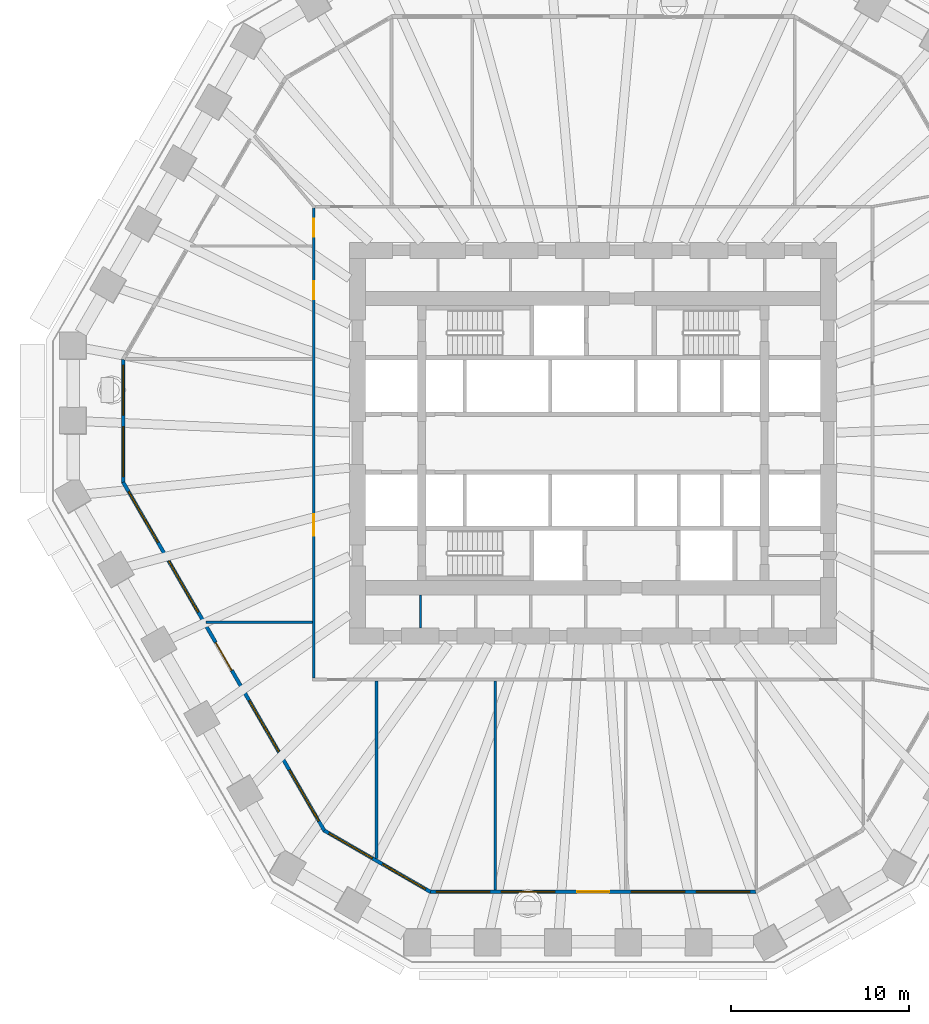
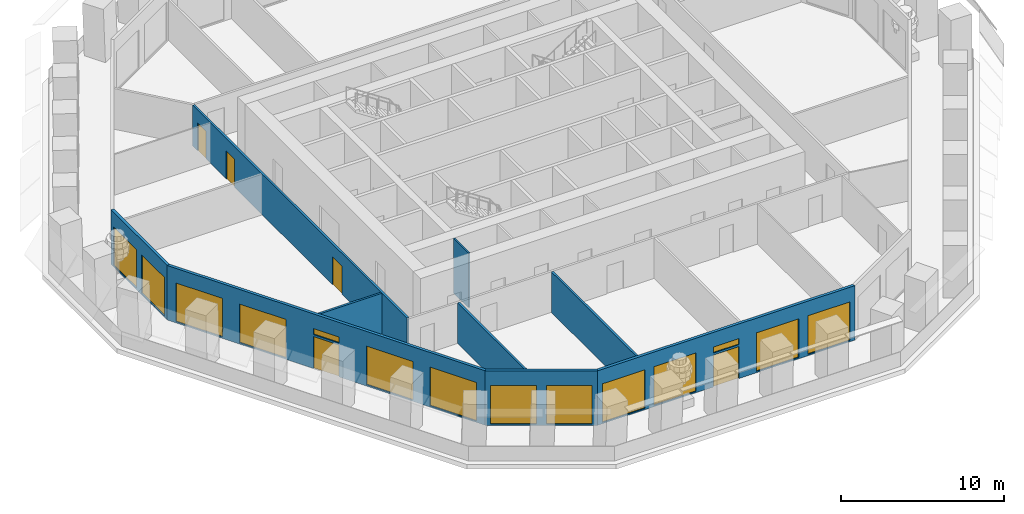
# One storey, part 3 of 12: 14 windows, 9 walls, 5 doors, 19 openings.
"""IFC4 building model written with IfcOpenShell, lengths in metres."""

from ifc_helpers import new_model, si_unit, direction, frame, frame_2d, origin, place, context, subcontext, project, spatial, polyline, rectangle, outline, extrude, material, layer, layer_set, type_object, element, fill, save


model = new_model("IFC4")

# Units and contexts
model_context = context("Model", 3, precision=1e-05, world=origin(), true_north=direction((0.0, 1.0)))
body_context = subcontext(model_context, "Body", "Model", "MODEL_VIEW")
ifc_project = project(units=[si_unit("LENGTHUNIT", "METRE"), si_unit("AREAUNIT", "SQUARE_METRE"), si_unit("VOLUMEUNIT", "CUBIC_METRE"), si_unit("PLANEANGLEUNIT", "RADIAN"), si_unit("MASSUNIT", "GRAM", prefix="KILO")], contexts=[model_context])

# Site, building, storey
site_placement = place(None, origin())
site = spatial("IfcSite", under=ifc_project, at=site_placement, CompositionType="ELEMENT")
building_placement = place(site_placement, origin())
building = spatial("IfcBuilding", under=site, at=building_placement, Name="Frailejon Research Tower", CompositionType="ELEMENT")
storey_placement = place(building_placement, frame((0.0, 0.0, 54.199951171875)))
storey = spatial("IfcBuildingStorey", under=building, at=storey_placement, Name="L12", CompositionType="ELEMENT", Elevation=54.199951171875)

# Wall
ifc_material_1 = material(Name="Plasterboard on steel studs", Category="steel")
ifc_layer_1 = layer(ifc_material_1, 0.125)
ifc_layer_set_1 = layer_set([ifc_layer_1], Name="Core partition 125")
wall_type_1 = type_object("IfcWallType", Name="Core partition 125", PredefinedType="PARTITIONING", material=ifc_layer_set_1)
wall_1_placement = place(storey_placement, frame((-9.66552734375, -10.35009765625, 0.0), z_axis=(0.0, 0.0, 1.0), x_axis=(0.0, 1.0, 0.0)))
element("IfcWall", 1, at=wall_1_placement, inside=storey, type_object=wall_type_1, Name="Core partition", PredefinedType="PARTITIONING", context=body_context, shape_type="SweptSolid", body=[
    extrude(rectangle(XDim=1.85009765625, YDim=0.125, at=frame_2d((0.925048828125, 0.0))), origin(), (0.0, 0.0, 1.0), 4.10009765625),
])

# Wall, openings, doors
ifc_material_2 = material(Name="Gypsum board and masonry partition", Category="masonry")
ifc_layer_2 = layer(ifc_material_2, 0.14990234375)
ifc_layer_set_2 = layer_set([ifc_layer_2], Name="Corridor wall EI 60, gypsum on steel studs 150")
wall_type_2 = type_object("IfcWallType", Name="Corridor wall EI 60, gypsum on steel studs 150", PredefinedType="PARTITIONING", material=ifc_layer_set_2)
wall_2_placement = place(storey_placement, frame((-15.64990234375, -13.175048828125, 0.0), z_axis=(0.0, 0.0, 1.0), x_axis=(0.0, 1.0, 0.0)))
wall_2 = element("IfcWall", 2, at=wall_2_placement, inside=storey, type_object=wall_type_2, Name="T:IW:L12:003", PredefinedType="PARTITIONING", context=body_context, shape_type="SweptSolid", body=[
    extrude(rectangle(XDim=26.35009765625, YDim=0.14990234375, at=frame_2d((13.175048828125, 0.0))), origin(), (0.0, 0.0, 1.0), 3.050048828125),
])
opening_1_placement = place(wall_2_placement, frame((24.7431640625, 0.0, 0.0)))
opening_1 = element("IfcOpeningElement", 3, at=opening_1_placement, cuts=wall_2, Name="Opening D1425", PredefinedType="OPENING", context=body_context, shape_type="SweptSolid", body=[
    extrude(rectangle(XDim=1.0, YDim=2.10009765625, at=frame_2d((0.5, 1.050048828125))), frame((0.0, 0.0849609375, 0.0), z_axis=(0.0, -1.0, 0.0), x_axis=(1.0, 0.0, 0.0)), (0.0, 0.0, 1.0), 0.169921875),
])
opening_2_placement = place(wall_2_placement, frame((21.24365234375, 0.0, 0.0)))
opening_2 = element("IfcOpeningElement", 4, at=opening_2_placement, cuts=wall_2, Name="Opening D1426", PredefinedType="OPENING", context=body_context, shape_type="SweptSolid", body=[
    extrude(rectangle(XDim=1.0, YDim=2.10009765625, at=frame_2d((0.5, 1.050048828125))), frame((0.0, 0.0849609375, 0.0), z_axis=(0.0, -1.0, 0.0), x_axis=(1.0, 0.0, 0.0)), (0.0, 0.0, 1.0), 0.169921875),
])
opening_3_placement = place(wall_2_placement, frame((7.9794921875, 0.0, 0.0)))
opening_3 = element("IfcOpeningElement", 5, at=opening_3_placement, cuts=wall_2, Name="Opening D1427", PredefinedType="OPENING", context=body_context, shape_type="SweptSolid", body=[
    extrude(rectangle(XDim=1.199951171875, YDim=2.10009765625, at=frame_2d((0.60009765625, 1.050048828125))), frame((0.0, 0.0849609375, 0.0), z_axis=(0.0, -1.0, 0.0), x_axis=(1.0, 0.0, 0.0)), (0.0, 0.0, 1.0), 0.169921875),
])
ifc_material_3 = material(Name="Timber door leaf", Category="wood")
door_type_1 = type_object("IfcDoorType", Name="Door laboratory, timber, vision panel 1200", OperationType="NOTDEFINED", PredefinedType="DOOR", material=ifc_material_3)
door_1_placement = place(opening_3_placement, origin())
door_1 = element("IfcDoor", 6, at=door_1_placement, inside=storey, type_object=door_type_1, Name="D1427", OperationType="DOUBLE_DOOR_SINGLE_SWING", OverallHeight=2.10009765625, OverallWidth=1.199951171875, PredefinedType="DOOR", context=body_context, shape_type="SweptSolid", body=[
    extrude(rectangle(XDim=1.199951171875, YDim=2.10009765625, at=frame_2d((0.60009765625, 1.050048828125))), frame((0.0, 0.02490234375, 0.0), z_axis=(0.0, -1.0, 0.0), x_axis=(1.0, 0.0, 0.0)), (0.0, 0.0, 1.0), 0.050048828125),
])
fill(opening_3, door_1)
ifc_material_4 = material(Name="Timber door leaf", Category="wood")
door_type_2 = type_object("IfcDoorType", Name="Door single leaf, timber, steel frame 1000", OperationType="NOTDEFINED", PredefinedType="DOOR", material=ifc_material_4)
door_2_placement = place(opening_1_placement, origin())
door_2 = element("IfcDoor", 7, at=door_2_placement, inside=storey, type_object=door_type_2, Name="D1425", OperationType="SINGLE_SWING_RIGHT", OverallHeight=2.10009765625, OverallWidth=1.0, PredefinedType="DOOR", context=body_context, shape_type="SweptSolid", body=[
    extrude(rectangle(XDim=1.0, YDim=2.10009765625, at=frame_2d((0.5, 1.050048828125))), frame((0.0, 0.02490234375, 0.0), z_axis=(0.0, -1.0, 0.0), x_axis=(1.0, 0.0, 0.0)), (0.0, 0.0, 1.0), 0.050048828125),
])
fill(opening_1, door_2)
door_3_placement = place(opening_2_placement, origin())
door_3 = element("IfcDoor", 8, at=door_3_placement, inside=storey, type_object=door_type_2, Name="D1426", OperationType="SINGLE_SWING_LEFT", OverallHeight=2.10009765625, OverallWidth=1.0, PredefinedType="DOOR", context=body_context, shape_type="SweptSolid", body=[
    extrude(rectangle(XDim=1.0, YDim=2.10009765625, at=frame_2d((0.5, 1.050048828125))), frame((0.0, 0.02490234375, 0.0), z_axis=(0.0, -1.0, 0.0), x_axis=(1.0, 0.0, 0.0)), (0.0, 0.0, 1.0), 0.050048828125),
])
fill(opening_2, door_3)

# Walls
ifc_material_5 = material(Name="Gypsum board and masonry partition", Category="masonry")
ifc_layer_3 = layer(ifc_material_5, 0.14990234375)
ifc_layer_set_3 = layer_set([ifc_layer_3], Name="Laboratory partition, blockwork 150")
wall_type_3 = type_object("IfcWallType", Name="Laboratory partition, blockwork 150", PredefinedType="PARTITIONING", material=ifc_layer_set_3)
wall_3_placement = place(storey_placement, frame((-21.68310546875, -10.0439453125, 0.0), z_axis=(0.0, 0.0, 1.0), x_axis=(1.0, 0.0, 0.0)))
element("IfcWall", 9, at=wall_3_placement, inside=storey, type_object=wall_type_3, Name="T:IW:L12:012", PredefinedType="PARTITIONING", context=body_context, shape_type="SweptSolid", body=[
    extrude(rectangle(XDim=5.9580078125, YDim=0.14990234375, at=frame_2d((2.97900390625, 0.0))), origin(), (0.0, 0.0, 1.0), 3.050048828125),
])
wall_4_placement = place(storey_placement, frame((-12.137939453125, -23.281494140625, 0.0), z_axis=(0.0, 0.0, 1.0), x_axis=(0.0, 1.0, 0.0)))
element("IfcWall", 10, at=wall_4_placement, inside=storey, type_object=wall_type_3, Name="T:IW:L12:013", PredefinedType="PARTITIONING", context=body_context, shape_type="SweptSolid", body=[
    extrude(rectangle(XDim=9.95654296875, YDim=0.14990234375, at=frame_2d((4.978271484375, 0.0))), origin(), (0.0, 0.0, 1.0), 3.050048828125),
])
wall_5_placement = place(storey_placement, frame((-5.482666015625, -25.04443359375, 0.0), z_axis=(0.0, 0.0, 1.0), x_axis=(0.0, 1.0, 0.0)))
element("IfcWall", 11, at=wall_5_placement, inside=storey, type_object=wall_type_3, Name="T:IW:L12:014", PredefinedType="PARTITIONING", context=body_context, shape_type="SweptSolid", body=[
    extrude(rectangle(XDim=11.719482421875, YDim=0.14990234375, at=frame_2d((5.85986328125, 0.0))), origin(), (0.0, 0.0, 1.0), 3.050048828125),
])

# Wall, openings, windows
ifc_material_6 = material(Name="Concrete C40/50 precast window wall panel", Category="concrete")
ifc_layer_4 = layer(ifc_material_6, 0.199951171875)
ifc_layer_set_4 = layer_set([ifc_layer_4], Name="Window wall 200")
wall_type_4 = type_object("IfcWallType", Name="Window wall 200", PredefinedType="SOLIDWALL", material=ifc_layer_set_4)
wall_6_placement = place(storey_placement, frame((-26.331298828125, 4.681884765625, 0.0), z_axis=(0.0, 0.0, 1.0), x_axis=(0.0, -1.0, 0.0)))
wall_6 = element("IfcWall", 12, at=wall_6_placement, inside=storey, type_object=wall_type_4, Name="Exterior wall L12", PredefinedType="SOLIDWALL", context=body_context, shape_type="SweptSolid", body=[
    extrude(outline(polyline([(-0.02685546875, -0.10009765625), (1.1279296875, -0.10009765625), (2.28271484375, -0.10009765625), (3.4375, -0.10009765625), (4.592041015625, -0.10009765625), (5.746826171875, -0.10009765625), (6.901611328125, -0.10009765625), (6.847900390625, 0.10009765625), (5.7109375, 0.10009765625), (4.57421875, 0.10009765625), (3.4375, 0.10009765625), (2.300537109375, 0.10009765625), (1.16357421875, 0.10009765625), (0.02685546875, 0.10009765625), (-0.02685546875, -0.10009765625)])), origin(), (0.0, 0.0, 1.0), 4.10009765625),
])
opening_4_placement = place(wall_6_placement, frame((0.318603515625, 0.0, 0.10009765625)))
opening_4 = element("IfcOpeningElement", 13, at=opening_4_placement, cuts=wall_6, Name="Opening W3", PredefinedType="OPENING", context=body_context, shape_type="SweptSolid", body=[
    extrude(rectangle(XDim=2.800048828125, YDim=2.89990234375, at=frame_2d((1.39990234375, 1.449951171875))), frame((0.0, 0.10986328125, 0.0), z_axis=(0.0, -1.0, 0.0), x_axis=(1.0, 0.0, 0.0)), (0.0, 0.0, 1.0), 0.219970703125),
])
opening_5_placement = place(wall_6_placement, frame((3.756103515625, 0.0, 0.10009765625)))
opening_5 = element("IfcOpeningElement", 14, at=opening_5_placement, cuts=wall_6, Name="Opening W3", PredefinedType="OPENING", context=body_context, shape_type="SweptSolid", body=[
    extrude(rectangle(XDim=2.800048828125, YDim=2.89990234375, at=frame_2d((1.39990234375, 1.449951171875))), frame((0.0, 0.10986328125, 0.0), z_axis=(0.0, -1.0, 0.0), x_axis=(1.0, 0.0, 0.0)), (0.0, 0.0, 1.0), 0.219970703125),
])
ifc_material_7 = material(Name="Aluminium framed double glazing", Category="aluminium")
window_type_1 = type_object("IfcWindowType", Name="Window 2800x2900", PartitioningType="SINGLE_PANEL", PredefinedType="WINDOW", material=ifc_material_7)
window_1_placement = place(opening_4_placement, origin())
window_1 = element("IfcWindow", 15, at=window_1_placement, inside=storey, type_object=window_type_1, Name="Window L12", OverallHeight=2.89990234375, OverallWidth=2.800048828125, PartitioningType="SINGLE_PANEL", PredefinedType="WINDOW", context=body_context, shape_type="SweptSolid", body=[
    extrude(rectangle(XDim=2.800048828125, YDim=2.89990234375, at=frame_2d((1.39990234375, 1.449951171875))), frame((0.0, 0.030029296875, 0.0), z_axis=(0.0, -1.0, 0.0), x_axis=(1.0, 0.0, 0.0)), (0.0, 0.0, 1.0), 0.06005859375),
])
fill(opening_4, window_1)
window_2_placement = place(opening_5_placement, origin())
window_2 = element("IfcWindow", 16, at=window_2_placement, inside=storey, type_object=window_type_1, Name="Window L12", OverallHeight=2.89990234375, OverallWidth=2.800048828125, PartitioningType="SINGLE_PANEL", PredefinedType="WINDOW", context=body_context, shape_type="SweptSolid", body=[
    extrude(rectangle(XDim=2.800048828125, YDim=2.89990234375, at=frame_2d((1.39990234375, 1.449951171875))), frame((0.0, 0.030029296875, 0.0), z_axis=(0.0, -1.0, 0.0), x_axis=(1.0, 0.0, 0.0)), (0.0, 0.0, 1.0), 0.06005859375),
])
fill(opening_5, window_2)

# Wall, openings, door, windows
wall_7_placement = place(storey_placement, frame((-26.331298828125, -2.19287109375, 0.0), z_axis=(0.0, 0.0, 1.0), x_axis=(0.499998501835, -0.866026268748, 0.0)))
wall_7 = element("IfcWall", 17, at=wall_7_placement, inside=storey, type_object=wall_type_4, Name="Exterior wall L12", PredefinedType="SOLIDWALL", context=body_context, shape_type="SweptSolid", body=[
    extrude(outline(polyline([(-0.02685546875, -0.10009765625), (0.999755859375, -0.10009765625), (2.026611328125, -0.10009765625), (3.05322265625, -0.10009765625), (4.079833984375, -0.10009765625), (5.1064453125, -0.10009765625), (6.13330078125, -0.10009765625), (7.159912109375, -0.10009765625), (8.1865234375, -0.10009765625), (9.213134765625, -0.10009765625), (10.239990234375, -0.10009765625), (11.2666015625, -0.10009765625), (12.293212890625, -0.10009765625), (13.320068359375, -0.10009765625), (14.3466796875, -0.10009765625), (15.373291015625, -0.10009765625), (16.39990234375, -0.10009765625), (17.4267578125, -0.10009765625), (18.453369140625, -0.10009765625), (19.47998046875, -0.10009765625), (20.506591796875, -0.10009765625), (21.533447265625, -0.10009765625), (22.56005859375, -0.10009765625), (22.50634765625, 0.10009765625), (21.484619140625, 0.10009765625), (20.462646484375, 0.10009765625), (19.44091796875, 0.10009765625), (18.419189453125, 0.10009765625), (17.3974609375, 0.10009765625), (16.37548828125, 0.10009765625), (15.353759765625, 0.10009765625), (14.33203125, 0.10009765625), (13.310302734375, 0.10009765625), (12.288330078125, 0.10009765625), (11.2666015625, 0.10009765625), (10.244873046875, 0.10009765625), (9.222900390625, 0.10009765625), (8.201171875, 0.10009765625), (7.179443359375, 0.10009765625), (6.15771484375, 0.10009765625), (5.1357421875, 0.10009765625), (4.114013671875, 0.10009765625), (3.09228515625, 0.10009765625), (2.070556640625, 0.10009765625), (1.048583984375, 0.10009765625), (0.02685546875, 0.10009765625), (-0.02685546875, -0.10009765625)])), origin(), (0.0, 0.0, 1.0), 4.10009765625),
])
opening_6_placement = place(wall_7_placement, frame((0.603271484375, 0.0, 0.10009765625)))
opening_6 = element("IfcOpeningElement", 18, at=opening_6_placement, cuts=wall_7, Name="Opening W5", PredefinedType="OPENING", context=body_context, shape_type="SweptSolid", body=[
    extrude(rectangle(XDim=3.300048828125, YDim=2.89990234375, at=frame_2d((1.64990234375, 1.449951171875))), frame((0.0, 0.10986328125, 0.0), z_axis=(0.0, -1.0, 0.0), x_axis=(1.0, 0.0, 0.0)), (0.0, 0.0, 1.0), 0.219970703125),
])
opening_7_placement = place(wall_7_placement, frame((5.110107421875, 0.0, 0.10009765625)))
opening_7 = element("IfcOpeningElement", 19, at=opening_7_placement, cuts=wall_7, Name="Opening W5", PredefinedType="OPENING", context=body_context, shape_type="SweptSolid", body=[
    extrude(rectangle(XDim=3.300048828125, YDim=2.89990234375, at=frame_2d((1.64990234375, 1.449951171875))), frame((0.0, 0.10986328125, 0.0), z_axis=(0.0, -1.0, 0.0), x_axis=(1.0, 0.0, 0.0)), (0.0, 0.0, 1.0), 0.219970703125),
])
opening_8_placement = place(wall_7_placement, frame((10.36669921875, 0.0, 0.0)))
opening_8 = element("IfcOpeningElement", 20, at=opening_8_placement, cuts=wall_7, Name="Opening LG12-4", PredefinedType="OPENING", context=body_context, shape_type="SweptSolid", body=[
    extrude(rectangle(XDim=1.800048828125, YDim=2.39990234375, at=frame_2d((0.89990234375, 1.199951171875))), frame((0.0, 0.10986328125, 0.0), z_axis=(0.0, -1.0, 0.0), x_axis=(1.0, 0.0, 0.0)), (0.0, 0.0, 1.0), 0.219970703125),
])
opening_9_placement = place(wall_7_placement, frame((10.36669921875, 0.0, 2.550048828125)))
opening_9 = element("IfcOpeningElement", 21, at=opening_9_placement, cuts=wall_7, Name="Opening W1", PredefinedType="OPENING", context=body_context, shape_type="SweptSolid", body=[
    extrude(rectangle(XDim=1.800048828125, YDim=0.449951171875, at=frame_2d((0.89990234375, 0.22509765625))), frame((0.0, 0.10986328125, 0.0), z_axis=(0.0, -1.0, 0.0), x_axis=(1.0, 0.0, 0.0)), (0.0, 0.0, 1.0), 0.219970703125),
])
opening_10_placement = place(wall_7_placement, frame((14.123291015625, 0.0, 0.10009765625)))
opening_10 = element("IfcOpeningElement", 22, at=opening_10_placement, cuts=wall_7, Name="Opening W5", PredefinedType="OPENING", context=body_context, shape_type="SweptSolid", body=[
    extrude(rectangle(XDim=3.300048828125, YDim=2.89990234375, at=frame_2d((1.64990234375, 1.449951171875))), frame((0.0, 0.10986328125, 0.0), z_axis=(0.0, -1.0, 0.0), x_axis=(1.0, 0.0, 0.0)), (0.0, 0.0, 1.0), 0.219970703125),
])
opening_11_placement = place(wall_7_placement, frame((18.6298828125, 0.0, 0.10009765625)))
opening_11 = element("IfcOpeningElement", 23, at=opening_11_placement, cuts=wall_7, Name="Opening W5", PredefinedType="OPENING", context=body_context, shape_type="SweptSolid", body=[
    extrude(rectangle(XDim=3.300048828125, YDim=2.89990234375, at=frame_2d((1.64990234375, 1.449951171875))), frame((0.0, 0.10986328125, 0.0), z_axis=(0.0, -1.0, 0.0), x_axis=(1.0, 0.0, 0.0)), (0.0, 0.0, 1.0), 0.219970703125),
])
ifc_material_8 = material(Name="Aluminium framed glazed door leaf", Category="aluminium")
door_type_3 = type_object("IfcDoorType", Name="Loggia door 1800x2400", OperationType="DOUBLE_DOOR_SINGLE_SWING", PredefinedType="DOOR", material=ifc_material_8)
door_4_placement = place(opening_8_placement, origin())
door_4 = element("IfcDoor", 24, at=door_4_placement, inside=storey, type_object=door_type_3, Name="Door LG12-4", OperationType="DOUBLE_DOOR_SINGLE_SWING", OverallHeight=2.39990234375, OverallWidth=1.800048828125, PredefinedType="DOOR", context=body_context, shape_type="SweptSolid", body=[
    extrude(rectangle(XDim=1.800048828125, YDim=2.39990234375, at=frame_2d((0.89990234375, 1.199951171875))), frame((0.0, 0.02490234375, 0.0), z_axis=(0.0, -1.0, 0.0), x_axis=(1.0, 0.0, 0.0)), (0.0, 0.0, 1.0), 0.050048828125),
])
fill(opening_8, door_4)
ifc_material_9 = material(Name="Aluminium framed double glazing", Category="aluminium")
window_type_2 = type_object("IfcWindowType", Name="Window 1800x450", PartitioningType="SINGLE_PANEL", PredefinedType="WINDOW", material=ifc_material_9)
window_3_placement = place(opening_9_placement, origin())
window_3 = element("IfcWindow", 25, at=window_3_placement, inside=storey, type_object=window_type_2, Name="Window L12", OverallHeight=0.449951171875, OverallWidth=1.800048828125, PartitioningType="SINGLE_PANEL", PredefinedType="WINDOW", context=body_context, shape_type="SweptSolid", body=[
    extrude(rectangle(XDim=1.800048828125, YDim=0.449951171875, at=frame_2d((0.89990234375, 0.22509765625))), frame((0.0, 0.030029296875, 0.0), z_axis=(0.0, -1.0, 0.0), x_axis=(1.0, 0.0, 0.0)), (0.0, 0.0, 1.0), 0.06005859375),
])
fill(opening_9, window_3)
ifc_material_10 = material(Name="Aluminium framed double glazing", Category="aluminium")
window_type_3 = type_object("IfcWindowType", Name="Window 3300x2900", PartitioningType="SINGLE_PANEL", PredefinedType="WINDOW", material=ifc_material_10)
window_4_placement = place(opening_6_placement, origin())
window_4 = element("IfcWindow", 26, at=window_4_placement, inside=storey, type_object=window_type_3, Name="Window L12", OverallHeight=2.89990234375, OverallWidth=3.300048828125, PartitioningType="SINGLE_PANEL", PredefinedType="WINDOW", context=body_context, shape_type="SweptSolid", body=[
    extrude(rectangle(XDim=3.300048828125, YDim=2.89990234375, at=frame_2d((1.64990234375, 1.449951171875))), frame((0.0, 0.030029296875, 0.0), z_axis=(0.0, -1.0, 0.0), x_axis=(1.0, 0.0, 0.0)), (0.0, 0.0, 1.0), 0.06005859375),
])
fill(opening_6, window_4)
window_5_placement = place(opening_7_placement, origin())
window_5 = element("IfcWindow", 27, at=window_5_placement, inside=storey, type_object=window_type_3, Name="Window L12", OverallHeight=2.89990234375, OverallWidth=3.300048828125, PartitioningType="SINGLE_PANEL", PredefinedType="WINDOW", context=body_context, shape_type="SweptSolid", body=[
    extrude(rectangle(XDim=3.300048828125, YDim=2.89990234375, at=frame_2d((1.64990234375, 1.449951171875))), frame((0.0, 0.030029296875, 0.0), z_axis=(0.0, -1.0, 0.0), x_axis=(1.0, 0.0, 0.0)), (0.0, 0.0, 1.0), 0.06005859375),
])
fill(opening_7, window_5)
window_6_placement = place(opening_10_placement, origin())
window_6 = element("IfcWindow", 28, at=window_6_placement, inside=storey, type_object=window_type_3, Name="Window L12", OverallHeight=2.89990234375, OverallWidth=3.300048828125, PartitioningType="SINGLE_PANEL", PredefinedType="WINDOW", context=body_context, shape_type="SweptSolid", body=[
    extrude(rectangle(XDim=3.300048828125, YDim=2.89990234375, at=frame_2d((1.64990234375, 1.449951171875))), frame((0.0, 0.030029296875, 0.0), z_axis=(0.0, -1.0, 0.0), x_axis=(1.0, 0.0, 0.0)), (0.0, 0.0, 1.0), 0.06005859375),
])
fill(opening_10, window_6)
window_7_placement = place(opening_11_placement, origin())
window_7 = element("IfcWindow", 29, at=window_7_placement, inside=storey, type_object=window_type_3, Name="Window L12", OverallHeight=2.89990234375, OverallWidth=3.300048828125, PartitioningType="SINGLE_PANEL", PredefinedType="WINDOW", context=body_context, shape_type="SweptSolid", body=[
    extrude(rectangle(XDim=3.300048828125, YDim=2.89990234375, at=frame_2d((1.64990234375, 1.449951171875))), frame((0.0, 0.030029296875, 0.0), z_axis=(0.0, -1.0, 0.0), x_axis=(1.0, 0.0, 0.0)), (0.0, 0.0, 1.0), 0.06005859375),
])
fill(opening_11, window_7)

# Wall, openings, windows
wall_8_placement = place(storey_placement, frame((-15.064697265625, -21.707275390625, 0.0), z_axis=(0.0, 0.0, 1.0), x_axis=(0.866029458321, -0.49999297727, 0.0)))
wall_8 = element("IfcWall", 30, at=wall_8_placement, inside=storey, type_object=wall_type_4, Name="Exterior wall L12", PredefinedType="SOLIDWALL", context=body_context, shape_type="SweptSolid", body=[
    extrude(outline(polyline([(-0.02685546875, -0.10009765625), (1.1279296875, -0.10009765625), (2.282470703125, -0.10009765625), (3.437255859375, -0.10009765625), (4.592041015625, -0.10009765625), (5.74658203125, -0.10009765625), (6.9013671875, -0.10009765625), (6.84765625, 0.10009765625), (5.7109375, 0.10009765625), (4.573974609375, 0.10009765625), (3.437255859375, 0.10009765625), (2.300537109375, 0.10009765625), (1.16357421875, 0.10009765625), (0.02685546875, 0.10009765625), (-0.02685546875, -0.10009765625)])), origin(), (0.0, 0.0, 1.0), 4.10009765625),
])
opening_12_placement = place(wall_8_placement, frame((0.318603515625, 0.0, 0.10009765625)))
opening_12 = element("IfcOpeningElement", 31, at=opening_12_placement, cuts=wall_8, Name="Opening W3", PredefinedType="OPENING", context=body_context, shape_type="SweptSolid", body=[
    extrude(rectangle(XDim=2.800048828125, YDim=2.89990234375, at=frame_2d((1.39990234375, 1.449951171875))), frame((0.0, 0.10986328125, 0.0), z_axis=(0.0, -1.0, 0.0), x_axis=(1.0, 0.0, 0.0)), (0.0, 0.0, 1.0), 0.219970703125),
])
opening_13_placement = place(wall_8_placement, frame((3.756103515625, 0.0, 0.10009765625)))
opening_13 = element("IfcOpeningElement", 32, at=opening_13_placement, cuts=wall_8, Name="Opening W3", PredefinedType="OPENING", context=body_context, shape_type="SweptSolid", body=[
    extrude(rectangle(XDim=2.800048828125, YDim=2.89990234375, at=frame_2d((1.39990234375, 1.449951171875))), frame((0.0, 0.10986328125, 0.0), z_axis=(0.0, -1.0, 0.0), x_axis=(1.0, 0.0, 0.0)), (0.0, 0.0, 1.0), 0.219970703125),
])
window_8_placement = place(opening_12_placement, origin())
window_8 = element("IfcWindow", 33, at=window_8_placement, inside=storey, type_object=window_type_1, Name="Window L12", OverallHeight=2.89990234375, OverallWidth=2.800048828125, PartitioningType="SINGLE_PANEL", PredefinedType="WINDOW", context=body_context, shape_type="SweptSolid", body=[
    extrude(rectangle(XDim=2.800048828125, YDim=2.89990234375, at=frame_2d((1.39990234375, 1.449951171875))), frame((0.0, 0.030029296875, 0.0), z_axis=(0.0, -1.0, 0.0), x_axis=(1.0, 0.0, 0.0)), (0.0, 0.0, 1.0), 0.06005859375),
])
fill(opening_12, window_8)
window_9_placement = place(opening_13_placement, origin())
window_9 = element("IfcWindow", 34, at=window_9_placement, inside=storey, type_object=window_type_1, Name="Window L12", OverallHeight=2.89990234375, OverallWidth=2.800048828125, PartitioningType="SINGLE_PANEL", PredefinedType="WINDOW", context=body_context, shape_type="SweptSolid", body=[
    extrude(rectangle(XDim=2.800048828125, YDim=2.89990234375, at=frame_2d((1.39990234375, 1.449951171875))), frame((0.0, 0.030029296875, 0.0), z_axis=(0.0, -1.0, 0.0), x_axis=(1.0, 0.0, 0.0)), (0.0, 0.0, 1.0), 0.06005859375),
])
fill(opening_13, window_9)

# Wall, openings, door, windows
wall_9_placement = place(storey_placement, frame((-9.111083984375, -25.14453125, 0.0), z_axis=(0.0, 0.0, 1.0), x_axis=(1.0, 0.0, 0.0)))
wall_9 = element("IfcWall", 35, at=wall_9_placement, inside=storey, type_object=wall_type_4, Name="Exterior wall L12", PredefinedType="SOLIDWALL", context=body_context, shape_type="SweptSolid", body=[
    extrude(outline(polyline([(-0.02685546875, -0.10009765625), (0.988525390625, -0.10009765625), (2.00390625, -0.10009765625), (3.01904296875, -0.10009765625), (4.034423828125, -0.10009765625), (5.0498046875, -0.10009765625), (6.065185546875, -0.10009765625), (7.080322265625, -0.10009765625), (8.095703125, -0.10009765625), (9.111083984375, -0.10009765625), (10.12646484375, -0.10009765625), (11.141845703125, -0.10009765625), (12.156982421875, -0.10009765625), (13.17236328125, -0.10009765625), (14.187744140625, -0.10009765625), (15.203125, -0.10009765625), (16.21826171875, -0.10009765625), (17.233642578125, -0.10009765625), (18.2490234375, -0.10009765625), (18.1953125, 0.10009765625), (17.18603515625, 0.10009765625), (16.176513671875, 0.10009765625), (15.167236328125, 0.10009765625), (14.157958984375, 0.10009765625), (13.1484375, 0.10009765625), (12.13916015625, 0.10009765625), (11.1298828125, 0.10009765625), (10.120361328125, 0.10009765625), (9.111083984375, 0.10009765625), (8.101806640625, 0.10009765625), (7.09228515625, 0.10009765625), (6.0830078125, 0.10009765625), (5.07373046875, 0.10009765625), (4.064208984375, 0.10009765625), (3.054931640625, 0.10009765625), (2.045654296875, 0.10009765625), (1.0361328125, 0.10009765625), (0.02685546875, 0.10009765625), (-0.02685546875, -0.10009765625)])), origin(), (0.0, 0.0, 1.0), 4.10009765625),
])
opening_14_placement = place(wall_9_placement, frame((0.322265625, 0.0, 0.10009765625)))
opening_14 = element("IfcOpeningElement", 36, at=opening_14_placement, cuts=wall_9, Name="Opening W4", PredefinedType="OPENING", context=body_context, shape_type="SweptSolid", body=[
    extrude(rectangle(XDim=3.0, YDim=2.89990234375, at=frame_2d((1.5, 1.449951171875))), frame((0.0, 0.10986328125, 0.0), z_axis=(0.0, -1.0, 0.0), x_axis=(1.0, 0.0, 0.0)), (0.0, 0.0, 1.0), 0.219970703125),
])
opening_15_placement = place(wall_9_placement, frame((3.966796875, 0.0, 0.10009765625)))
opening_15 = element("IfcOpeningElement", 37, at=opening_15_placement, cuts=wall_9, Name="Opening W4", PredefinedType="OPENING", context=body_context, shape_type="SweptSolid", body=[
    extrude(rectangle(XDim=3.0, YDim=2.89990234375, at=frame_2d((1.5, 1.449951171875))), frame((0.0, 0.10986328125, 0.0), z_axis=(0.0, -1.0, 0.0), x_axis=(1.0, 0.0, 0.0)), (0.0, 0.0, 1.0), 0.219970703125),
])
opening_16_placement = place(wall_9_placement, frame((8.211181640625, 0.0, 0.0)))
opening_16 = element("IfcOpeningElement", 38, at=opening_16_placement, cuts=wall_9, Name="Opening LG12-5", PredefinedType="OPENING", context=body_context, shape_type="SweptSolid", body=[
    extrude(rectangle(XDim=1.800048828125, YDim=2.39990234375, at=frame_2d((0.89990234375, 1.199951171875))), frame((0.0, 0.10986328125, 0.0), z_axis=(0.0, -1.0, 0.0), x_axis=(1.0, 0.0, 0.0)), (0.0, 0.0, 1.0), 0.219970703125),
])
opening_17_placement = place(wall_9_placement, frame((8.211181640625, 0.0, 2.550048828125)))
opening_17 = element("IfcOpeningElement", 39, at=opening_17_placement, cuts=wall_9, Name="Opening W1", PredefinedType="OPENING", context=body_context, shape_type="SweptSolid", body=[
    extrude(rectangle(XDim=1.800048828125, YDim=0.449951171875, at=frame_2d((0.89990234375, 0.22509765625))), frame((0.0, 0.10986328125, 0.0), z_axis=(0.0, -1.0, 0.0), x_axis=(1.0, 0.0, 0.0)), (0.0, 0.0, 1.0), 0.219970703125),
])
opening_18_placement = place(wall_9_placement, frame((11.255615234375, 0.0, 0.10009765625)))
opening_18 = element("IfcOpeningElement", 40, at=opening_18_placement, cuts=wall_9, Name="Opening W4", PredefinedType="OPENING", context=body_context, shape_type="SweptSolid", body=[
    extrude(rectangle(XDim=3.0, YDim=2.89990234375, at=frame_2d((1.5, 1.449951171875))), frame((0.0, 0.10986328125, 0.0), z_axis=(0.0, -1.0, 0.0), x_axis=(1.0, 0.0, 0.0)), (0.0, 0.0, 1.0), 0.219970703125),
])
opening_19_placement = place(wall_9_placement, frame((14.89990234375, 0.0, 0.10009765625)))
opening_19 = element("IfcOpeningElement", 41, at=opening_19_placement, cuts=wall_9, Name="Opening W4", PredefinedType="OPENING", context=body_context, shape_type="SweptSolid", body=[
    extrude(rectangle(XDim=3.0, YDim=2.89990234375, at=frame_2d((1.5, 1.449951171875))), frame((0.0, 0.10986328125, 0.0), z_axis=(0.0, -1.0, 0.0), x_axis=(1.0, 0.0, 0.0)), (0.0, 0.0, 1.0), 0.219970703125),
])
door_5_placement = place(opening_16_placement, origin())
door_5 = element("IfcDoor", 42, at=door_5_placement, inside=storey, type_object=door_type_3, Name="Door LG12-5", OperationType="DOUBLE_DOOR_SINGLE_SWING", OverallHeight=2.39990234375, OverallWidth=1.800048828125, PredefinedType="DOOR", context=body_context, shape_type="SweptSolid", body=[
    extrude(rectangle(XDim=1.800048828125, YDim=2.39990234375, at=frame_2d((0.89990234375, 1.199951171875))), frame((0.0, 0.02490234375, 0.0), z_axis=(0.0, -1.0, 0.0), x_axis=(1.0, 0.0, 0.0)), (0.0, 0.0, 1.0), 0.050048828125),
])
fill(opening_16, door_5)
window_10_placement = place(opening_17_placement, origin())
window_10 = element("IfcWindow", 43, at=window_10_placement, inside=storey, type_object=window_type_2, Name="Window L12", OverallHeight=0.449951171875, OverallWidth=1.800048828125, PartitioningType="SINGLE_PANEL", PredefinedType="WINDOW", context=body_context, shape_type="SweptSolid", body=[
    extrude(rectangle(XDim=1.800048828125, YDim=0.449951171875, at=frame_2d((0.89990234375, 0.22509765625))), frame((0.0, 0.030029296875, 0.0), z_axis=(0.0, -1.0, 0.0), x_axis=(1.0, 0.0, 0.0)), (0.0, 0.0, 1.0), 0.06005859375),
])
fill(opening_17, window_10)
ifc_material_11 = material(Name="Aluminium framed double glazing", Category="aluminium")
window_type_4 = type_object("IfcWindowType", Name="Window 3000x2900", PartitioningType="SINGLE_PANEL", PredefinedType="WINDOW", material=ifc_material_11)
window_11_placement = place(opening_14_placement, origin())
window_11 = element("IfcWindow", 44, at=window_11_placement, inside=storey, type_object=window_type_4, Name="Window L12", OverallHeight=2.89990234375, OverallWidth=3.0, PartitioningType="SINGLE_PANEL", PredefinedType="WINDOW", context=body_context, shape_type="SweptSolid", body=[
    extrude(rectangle(XDim=3.0, YDim=2.89990234375, at=frame_2d((1.5, 1.449951171875))), frame((0.0, 0.030029296875, 0.0), z_axis=(0.0, -1.0, 0.0), x_axis=(1.0, 0.0, 0.0)), (0.0, 0.0, 1.0), 0.06005859375),
])
fill(opening_14, window_11)
window_12_placement = place(opening_15_placement, origin())
window_12 = element("IfcWindow", 45, at=window_12_placement, inside=storey, type_object=window_type_4, Name="Window L12", OverallHeight=2.89990234375, OverallWidth=3.0, PartitioningType="SINGLE_PANEL", PredefinedType="WINDOW", context=body_context, shape_type="SweptSolid", body=[
    extrude(rectangle(XDim=3.0, YDim=2.89990234375, at=frame_2d((1.5, 1.449951171875))), frame((0.0, 0.030029296875, 0.0), z_axis=(0.0, -1.0, 0.0), x_axis=(1.0, 0.0, 0.0)), (0.0, 0.0, 1.0), 0.06005859375),
])
fill(opening_15, window_12)
window_13_placement = place(opening_18_placement, origin())
window_13 = element("IfcWindow", 46, at=window_13_placement, inside=storey, type_object=window_type_4, Name="Window L12", OverallHeight=2.89990234375, OverallWidth=3.0, PartitioningType="SINGLE_PANEL", PredefinedType="WINDOW", context=body_context, shape_type="SweptSolid", body=[
    extrude(rectangle(XDim=3.0, YDim=2.89990234375, at=frame_2d((1.5, 1.449951171875))), frame((0.0, 0.030029296875, 0.0), z_axis=(0.0, -1.0, 0.0), x_axis=(1.0, 0.0, 0.0)), (0.0, 0.0, 1.0), 0.06005859375),
])
fill(opening_18, window_13)
window_14_placement = place(opening_19_placement, origin())
window_14 = element("IfcWindow", 47, at=window_14_placement, inside=storey, type_object=window_type_4, Name="Window L12", OverallHeight=2.89990234375, OverallWidth=3.0, PartitioningType="SINGLE_PANEL", PredefinedType="WINDOW", context=body_context, shape_type="SweptSolid", body=[
    extrude(rectangle(XDim=3.0, YDim=2.89990234375, at=frame_2d((1.5, 1.449951171875))), frame((0.0, 0.030029296875, 0.0), z_axis=(0.0, -1.0, 0.0), x_axis=(1.0, 0.0, 0.0)), (0.0, 0.0, 1.0), 0.06005859375),
])
fill(opening_19, window_14)

save(model, "model.ifc")
